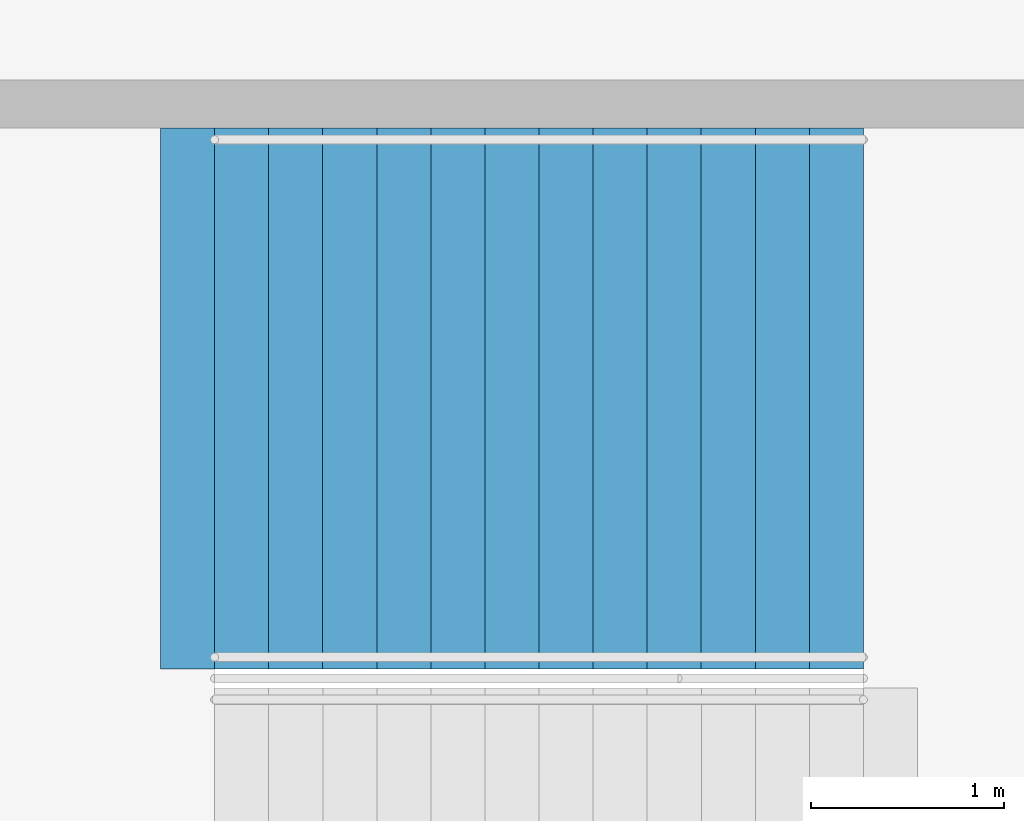
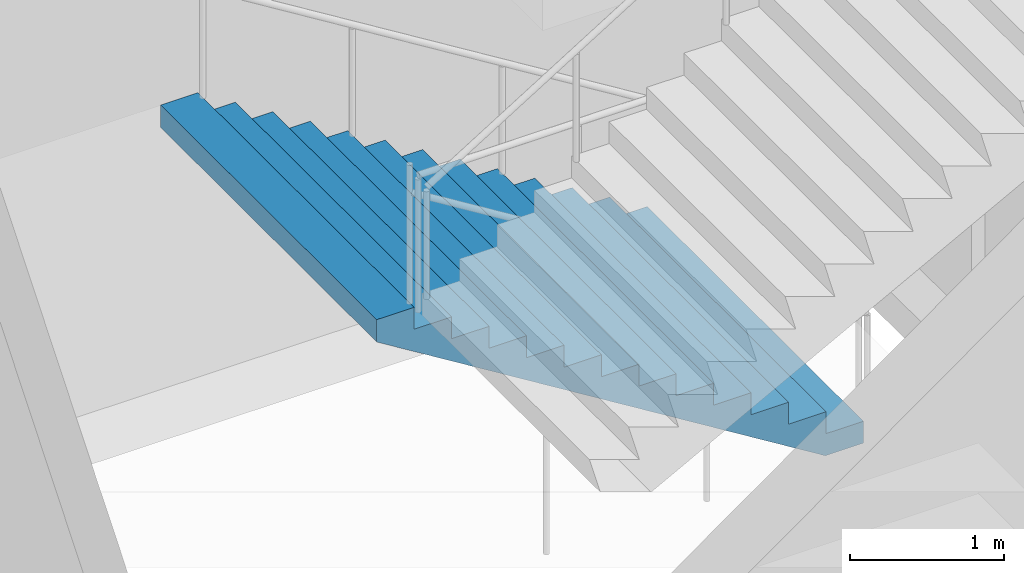
# One storey, part 111 of 177: 1 stair flight, 1 element without a shape of its own.
"""IFC4 building model written with IfcOpenShell, lengths in metres."""

from ifc_helpers import new_model, si_unit, direction, frame, origin, place, context, subcontext, project, spatial, faceted_brep, material, type_object, element, aggregate, save


model = new_model("IFC4")

# Units and contexts
model_context = context("Model", 3, precision=1e-05, world=origin(), true_north=direction((0.0, 1.0)))
body_context = subcontext(model_context, "Body", "Model", "MODEL_VIEW")
ifc_project = project(units=[si_unit("LENGTHUNIT", "METRE"), si_unit("AREAUNIT", "SQUARE_METRE"), si_unit("VOLUMEUNIT", "CUBIC_METRE"), si_unit("PLANEANGLEUNIT", "RADIAN"), si_unit("MASSUNIT", "GRAM", prefix="KILO")], contexts=[model_context])

# Site, building, storey
site_placement = place(None, origin())
site = spatial("IfcSite", under=ifc_project, at=site_placement, CompositionType="ELEMENT")
building_placement = place(site_placement, origin())
building = spatial("IfcBuilding", under=site, at=building_placement, Name="Ogive Plaza Stadium", CompositionType="ELEMENT")
storey_placement = place(building_placement, frame((0.0, 0.0, 18.0)))
storey = spatial("IfcBuildingStorey", under=building, at=storey_placement, Name="L04", CompositionType="ELEMENT", Elevation=18.0)

# Stair, stair flight
ifc_material_1 = material(Name="Concrete C40/50", Category="concrete")
stair_type = type_object("IfcStairType", Name="Exit stair", PredefinedType="STRAIGHT_RUN_STAIR", material=ifc_material_1)
stair_placement = place(storey_placement, origin())
stair = element("IfcStair", 1, at=stair_placement, inside=storey, type_object=stair_type, Name="Exit stair ST24A L04 to L05", PredefinedType="STRAIGHT_RUN_STAIR")
ifc_material_2 = material(Name="Concrete C40/50", Category="concrete")
stair_flight_type = type_object("IfcStairFlightType", Name="Exit stair flight", PredefinedType="STRAIGHT", material=ifc_material_2)
stair_flight_placement = place(storey_placement, frame((-76.35009765625, -3.074951171875, 0.0), z_axis=(0.0, 0.0, 1.0), x_axis=(-1.0, 0.0, 0.0)))
stair_flight = element("IfcStairFlight", 2, at=stair_flight_placement, type_object=stair_flight_type, Name="ST24A flight 1", NumberOfRisers=13, NumberOfTreads=12, PredefinedType="STRAIGHT", RiserHeight=0.173076923, TreadLength=0.28, context=body_context, shape_type="Brep", body=[
    faceted_brep([(0.28515625, -1.39990234375, 0.0), (3.639892578125, -1.39990234375, 2.07373046875), (3.639892578125, -1.39990234375, 2.25), (3.360107421875, -1.39990234375, 2.25), (3.360107421875, -1.39990234375, 2.076904296875), (3.080078125, -1.39990234375, 2.076904296875), (3.080078125, -1.39990234375, 1.90380859375), (2.800048828125, -1.39990234375, 1.90380859375), (2.800048828125, -1.39990234375, 1.730712890625), (2.52001953125, -1.39990234375, 1.730712890625), (2.52001953125, -1.39990234375, 1.5576171875), (2.239990234375, -1.39990234375, 1.5576171875), (2.239990234375, -1.39990234375, 1.384521484375), (1.9599609375, -1.39990234375, 1.384521484375), (1.9599609375, -1.39990234375, 1.21142578125), (1.679931640625, -1.39990234375, 1.21142578125), (1.679931640625, -1.39990234375, 1.03857421875), (1.39990234375, -1.39990234375, 1.03857421875), (1.39990234375, -1.39990234375, 0.865478515625), (1.1201171875, -1.39990234375, 0.865478515625), (1.1201171875, -1.39990234375, 0.6923828125), (0.840087890625, -1.39990234375, 0.6923828125), (0.840087890625, -1.39990234375, 0.519287109375), (0.56005859375, -1.39990234375, 0.519287109375), (0.56005859375, -1.39990234375, 0.34619140625), (0.280029296875, -1.39990234375, 0.34619140625), (0.280029296875, -1.39990234375, 0.173095703125), (0.0, -1.39990234375, 0.173095703125), (0.0, -1.39990234375, 0.0), (0.0, 1.39990234375, 0.0), (0.0, 1.39990234375, 0.173095703125), (0.280029296875, 1.39990234375, 0.173095703125), (0.280029296875, 1.39990234375, 0.34619140625), (0.56005859375, 1.39990234375, 0.34619140625), (0.56005859375, 1.39990234375, 0.519287109375), (0.840087890625, 1.39990234375, 0.519287109375), (0.840087890625, 1.39990234375, 0.6923828125), (1.1201171875, 1.39990234375, 0.6923828125), (1.1201171875, 1.39990234375, 0.865478515625), (1.39990234375, 1.39990234375, 0.865478515625), (1.39990234375, 1.39990234375, 1.03857421875), (1.679931640625, 1.39990234375, 1.03857421875), (1.679931640625, 1.39990234375, 1.21142578125), (1.9599609375, 1.39990234375, 1.21142578125), (1.9599609375, 1.39990234375, 1.384521484375), (2.239990234375, 1.39990234375, 1.384521484375), (2.239990234375, 1.39990234375, 1.5576171875), (2.52001953125, 1.39990234375, 1.5576171875), (2.52001953125, 1.39990234375, 1.730712890625), (2.800048828125, 1.39990234375, 1.730712890625), (2.800048828125, 1.39990234375, 1.90380859375), (3.080078125, 1.39990234375, 1.90380859375), (3.080078125, 1.39990234375, 2.076904296875), (3.360107421875, 1.39990234375, 2.076904296875), (3.360107421875, 1.39990234375, 2.25), (3.639892578125, 1.39990234375, 2.25), (3.639892578125, 1.39990234375, 2.07373046875), (0.28515625, 1.39990234375, 0.0), (0.28515625, -1.0888671875, 0.0), (3.639892578125, -1.0888671875, 2.07373046875), (0.28515625, -0.77783203125, 0.0), (3.639892578125, -0.77783203125, 2.07373046875), (0.28515625, -0.466796875, 0.0), (3.639892578125, -0.466796875, 2.07373046875), (0.28515625, -0.155517578125, 0.0), (3.639892578125, -0.155517578125, 2.07373046875), (0.28515625, 0.155517578125, 0.0), (3.639892578125, 0.155517578125, 2.07373046875), (0.28515625, 0.466796875, 0.0), (3.639892578125, 0.466796875, 2.07373046875), (0.28515625, 0.77783203125, 0.0), (3.639892578125, 0.77783203125, 2.07373046875), (0.28515625, 1.0888671875, 0.0), (3.639892578125, 1.0888671875, 2.07373046875), (3.639892578125, -1.0888671875, 2.25), (3.639892578125, -0.77783203125, 2.25), (3.639892578125, -0.466796875, 2.25), (3.639892578125, -0.155517578125, 2.25), (3.639892578125, 0.155517578125, 2.25), (3.639892578125, 0.466796875, 2.25), (3.639892578125, 0.77783203125, 2.25), (3.639892578125, 1.0888671875, 2.25), (3.360107421875, -1.0888671875, 2.25), (3.360107421875, -0.77783203125, 2.25), (3.360107421875, -0.466796875, 2.25), (3.360107421875, -0.155517578125, 2.25), (3.360107421875, 0.155517578125, 2.25), (3.360107421875, 0.466796875, 2.25), (3.360107421875, 0.77783203125, 2.25), (3.360107421875, 1.0888671875, 2.25), (3.360107421875, -1.0888671875, 2.076904296875), (3.360107421875, -0.77783203125, 2.076904296875), (3.360107421875, -0.466796875, 2.076904296875), (3.360107421875, -0.155517578125, 2.076904296875), (3.360107421875, 0.155517578125, 2.076904296875), (3.360107421875, 0.466796875, 2.076904296875), (3.360107421875, 0.77783203125, 2.076904296875), (3.360107421875, 1.0888671875, 2.076904296875), (3.080078125, -1.0888671875, 2.076904296875), (3.080078125, -0.77783203125, 2.076904296875), (3.080078125, -0.466796875, 2.076904296875), (3.080078125, -0.155517578125, 2.076904296875), (3.080078125, 0.155517578125, 2.076904296875), (3.080078125, 0.466796875, 2.076904296875), (3.080078125, 0.77783203125, 2.076904296875), (3.080078125, 1.0888671875, 2.076904296875), (3.080078125, -1.0888671875, 1.90380859375), (3.080078125, -0.77783203125, 1.90380859375), (3.080078125, -0.466796875, 1.90380859375), (3.080078125, -0.155517578125, 1.90380859375), (3.080078125, 0.155517578125, 1.90380859375), (3.080078125, 0.466796875, 1.90380859375), (3.080078125, 0.77783203125, 1.90380859375), (3.080078125, 1.0888671875, 1.90380859375), (2.800048828125, -1.0888671875, 1.90380859375), (2.800048828125, -0.77783203125, 1.90380859375), (2.800048828125, -0.466796875, 1.90380859375), (2.800048828125, -0.155517578125, 1.90380859375), (2.800048828125, 0.155517578125, 1.90380859375), (2.800048828125, 0.466796875, 1.90380859375), (2.800048828125, 0.77783203125, 1.90380859375), (2.800048828125, 1.0888671875, 1.90380859375), (2.800048828125, -1.0888671875, 1.730712890625), (2.800048828125, -0.77783203125, 1.730712890625), (2.800048828125, -0.466796875, 1.730712890625), (2.800048828125, -0.155517578125, 1.730712890625), (2.800048828125, 0.155517578125, 1.730712890625), (2.800048828125, 0.466796875, 1.730712890625), (2.800048828125, 0.77783203125, 1.730712890625), (2.800048828125, 1.0888671875, 1.730712890625), (2.52001953125, -1.0888671875, 1.730712890625), (2.52001953125, -0.77783203125, 1.730712890625), (2.52001953125, -0.466796875, 1.730712890625), (2.52001953125, -0.155517578125, 1.730712890625), (2.52001953125, 0.155517578125, 1.730712890625), (2.52001953125, 0.466796875, 1.730712890625), (2.52001953125, 0.77783203125, 1.730712890625), (2.52001953125, 1.0888671875, 1.730712890625), (2.52001953125, -1.0888671875, 1.5576171875), (2.52001953125, -0.77783203125, 1.5576171875), (2.52001953125, -0.466796875, 1.5576171875), (2.52001953125, -0.155517578125, 1.5576171875), (2.52001953125, 0.155517578125, 1.5576171875), (2.52001953125, 0.466796875, 1.5576171875), (2.52001953125, 0.77783203125, 1.5576171875), (2.52001953125, 1.0888671875, 1.5576171875), (2.239990234375, -1.0888671875, 1.5576171875), (2.239990234375, -0.77783203125, 1.5576171875), (2.239990234375, -0.466796875, 1.5576171875), (2.239990234375, -0.155517578125, 1.5576171875), (2.239990234375, 0.155517578125, 1.5576171875), (2.239990234375, 0.466796875, 1.5576171875), (2.239990234375, 0.77783203125, 1.5576171875), (2.239990234375, 1.0888671875, 1.5576171875), (2.239990234375, -1.0888671875, 1.384521484375), (2.239990234375, -0.77783203125, 1.384521484375), (2.239990234375, -0.466796875, 1.384521484375), (2.239990234375, -0.155517578125, 1.384521484375), (2.239990234375, 0.155517578125, 1.384521484375), (2.239990234375, 0.466796875, 1.384521484375), (2.239990234375, 0.77783203125, 1.384521484375), (2.239990234375, 1.0888671875, 1.384521484375), (1.9599609375, -1.0888671875, 1.384521484375), (1.9599609375, -0.77783203125, 1.384521484375), (1.9599609375, -0.466796875, 1.384521484375), (1.9599609375, -0.155517578125, 1.384521484375), (1.9599609375, 0.155517578125, 1.384521484375), (1.9599609375, 0.466796875, 1.384521484375), (1.9599609375, 0.77783203125, 1.384521484375), (1.9599609375, 1.0888671875, 1.384521484375), (1.9599609375, -1.0888671875, 1.21142578125), (1.9599609375, -0.77783203125, 1.21142578125), (1.9599609375, -0.466796875, 1.21142578125), (1.9599609375, -0.155517578125, 1.21142578125), (1.9599609375, 0.155517578125, 1.21142578125), (1.9599609375, 0.466796875, 1.21142578125), (1.9599609375, 0.77783203125, 1.21142578125), (1.9599609375, 1.0888671875, 1.21142578125), (1.679931640625, -1.0888671875, 1.21142578125), (1.679931640625, -0.77783203125, 1.21142578125), (1.679931640625, -0.466796875, 1.21142578125), (1.679931640625, -0.155517578125, 1.21142578125), (1.679931640625, 0.155517578125, 1.21142578125), (1.679931640625, 0.466796875, 1.21142578125), (1.679931640625, 0.77783203125, 1.21142578125), (1.679931640625, 1.0888671875, 1.21142578125), (1.679931640625, -1.0888671875, 1.03857421875), (1.679931640625, -0.77783203125, 1.03857421875), (1.679931640625, -0.466796875, 1.03857421875), (1.679931640625, -0.155517578125, 1.03857421875), (1.679931640625, 0.155517578125, 1.03857421875), (1.679931640625, 0.466796875, 1.03857421875), (1.679931640625, 0.77783203125, 1.03857421875), (1.679931640625, 1.0888671875, 1.03857421875), (1.39990234375, -1.0888671875, 1.03857421875), (1.39990234375, -0.77783203125, 1.03857421875), (1.39990234375, -0.466796875, 1.03857421875), (1.39990234375, -0.155517578125, 1.03857421875), (1.39990234375, 0.155517578125, 1.03857421875), (1.39990234375, 0.466796875, 1.03857421875), (1.39990234375, 0.77783203125, 1.03857421875), (1.39990234375, 1.0888671875, 1.03857421875), (1.39990234375, -1.0888671875, 0.865478515625), (1.39990234375, -0.77783203125, 0.865478515625), (1.39990234375, -0.466796875, 0.865478515625), (1.39990234375, -0.155517578125, 0.865478515625), (1.39990234375, 0.155517578125, 0.865478515625), (1.39990234375, 0.466796875, 0.865478515625), (1.39990234375, 0.77783203125, 0.865478515625), (1.39990234375, 1.0888671875, 0.865478515625), (1.1201171875, -1.0888671875, 0.865478515625), (1.1201171875, -0.77783203125, 0.865478515625), (1.1201171875, -0.466796875, 0.865478515625), (1.1201171875, -0.155517578125, 0.865478515625), (1.1201171875, 0.155517578125, 0.865478515625), (1.1201171875, 0.466796875, 0.865478515625), (1.1201171875, 0.77783203125, 0.865478515625), (1.1201171875, 1.0888671875, 0.865478515625), (1.1201171875, -1.0888671875, 0.6923828125), (1.1201171875, -0.77783203125, 0.6923828125), (1.1201171875, -0.466796875, 0.6923828125), (1.1201171875, -0.155517578125, 0.6923828125), (1.1201171875, 0.155517578125, 0.6923828125), (1.1201171875, 0.466796875, 0.6923828125), (1.1201171875, 0.77783203125, 0.6923828125), (1.1201171875, 1.0888671875, 0.6923828125), (0.840087890625, -1.0888671875, 0.6923828125), (0.840087890625, -0.77783203125, 0.6923828125), (0.840087890625, -0.466796875, 0.6923828125), (0.840087890625, -0.155517578125, 0.6923828125), (0.840087890625, 0.155517578125, 0.6923828125), (0.840087890625, 0.466796875, 0.6923828125), (0.840087890625, 0.77783203125, 0.6923828125), (0.840087890625, 1.0888671875, 0.6923828125), (0.840087890625, -1.0888671875, 0.519287109375), (0.840087890625, -0.77783203125, 0.519287109375), (0.840087890625, -0.466796875, 0.519287109375), (0.840087890625, -0.155517578125, 0.519287109375), (0.840087890625, 0.155517578125, 0.519287109375), (0.840087890625, 0.466796875, 0.519287109375), (0.840087890625, 0.77783203125, 0.519287109375), (0.840087890625, 1.0888671875, 0.519287109375), (0.56005859375, -1.0888671875, 0.519287109375), (0.56005859375, -0.77783203125, 0.519287109375), (0.56005859375, -0.466796875, 0.519287109375), (0.56005859375, -0.155517578125, 0.519287109375), (0.56005859375, 0.155517578125, 0.519287109375), (0.56005859375, 0.466796875, 0.519287109375), (0.56005859375, 0.77783203125, 0.519287109375), (0.56005859375, 1.0888671875, 0.519287109375), (0.56005859375, -1.0888671875, 0.34619140625), (0.56005859375, -0.77783203125, 0.34619140625), (0.56005859375, -0.466796875, 0.34619140625), (0.56005859375, -0.155517578125, 0.34619140625), (0.56005859375, 0.155517578125, 0.34619140625), (0.56005859375, 0.466796875, 0.34619140625), (0.56005859375, 0.77783203125, 0.34619140625), (0.56005859375, 1.0888671875, 0.34619140625), (0.280029296875, -1.0888671875, 0.34619140625), (0.280029296875, -0.77783203125, 0.34619140625), (0.280029296875, -0.466796875, 0.34619140625), (0.280029296875, -0.155517578125, 0.34619140625), (0.280029296875, 0.155517578125, 0.34619140625), (0.280029296875, 0.466796875, 0.34619140625), (0.280029296875, 0.77783203125, 0.34619140625), (0.280029296875, 1.0888671875, 0.34619140625), (0.280029296875, -1.0888671875, 0.173095703125), (0.280029296875, -0.77783203125, 0.173095703125), (0.280029296875, -0.466796875, 0.173095703125), (0.280029296875, -0.155517578125, 0.173095703125), (0.280029296875, 0.155517578125, 0.173095703125), (0.280029296875, 0.466796875, 0.173095703125), (0.280029296875, 0.77783203125, 0.173095703125), (0.280029296875, 1.0888671875, 0.173095703125), (0.0, -1.0888671875, 0.173095703125), (0.0, -0.77783203125, 0.173095703125), (0.0, -0.466796875, 0.173095703125), (0.0, -0.155517578125, 0.173095703125), (0.0, 0.155517578125, 0.173095703125), (0.0, 0.466796875, 0.173095703125), (0.0, 0.77783203125, 0.173095703125), (0.0, 1.0888671875, 0.173095703125), (0.0, -1.0888671875, 0.0), (0.0, -0.77783203125, 0.0), (0.0, -0.466796875, 0.0), (0.0, -0.155517578125, 0.0), (0.0, 0.155517578125, 0.0), (0.0, 0.466796875, 0.0), (0.0, 0.77783203125, 0.0), (0.0, 1.0888671875, 0.0)], [[[0, 1, 2, 3, 4, 5, 6, 7, 8, 9, 10, 11, 12, 13, 14, 15, 16, 17, 18, 19, 20, 21, 22, 23, 24, 25, 26, 27, 28]], [[29, 30, 31, 32, 33, 34, 35, 36, 37, 38, 39, 40, 41, 42, 43, 44, 45, 46, 47, 48, 49, 50, 51, 52, 53, 54, 55, 56, 57]], [[0, 58, 59, 1]], [[58, 60, 61, 59]], [[60, 62, 63, 61]], [[62, 64, 65, 63]], [[64, 66, 67, 65]], [[66, 68, 69, 67]], [[68, 70, 71, 69]], [[70, 72, 73, 71]], [[72, 57, 56, 73]], [[1, 59, 74, 2]], [[59, 61, 75, 74]], [[61, 63, 76, 75]], [[63, 65, 77, 76]], [[65, 67, 78, 77]], [[67, 69, 79, 78]], [[69, 71, 80, 79]], [[71, 73, 81, 80]], [[73, 56, 55, 81]], [[2, 74, 82, 3]], [[74, 75, 83, 82]], [[75, 76, 84, 83]], [[76, 77, 85, 84]], [[77, 78, 86, 85]], [[78, 79, 87, 86]], [[79, 80, 88, 87]], [[80, 81, 89, 88]], [[81, 55, 54, 89]], [[3, 82, 90, 4]], [[82, 83, 91, 90]], [[83, 84, 92, 91]], [[84, 85, 93, 92]], [[85, 86, 94, 93]], [[86, 87, 95, 94]], [[87, 88, 96, 95]], [[88, 89, 97, 96]], [[89, 54, 53, 97]], [[4, 90, 98, 5]], [[90, 91, 99, 98]], [[91, 92, 100, 99]], [[92, 93, 101, 100]], [[93, 94, 102, 101]], [[94, 95, 103, 102]], [[95, 96, 104, 103]], [[96, 97, 105, 104]], [[97, 53, 52, 105]], [[5, 98, 106, 6]], [[98, 99, 107, 106]], [[99, 100, 108, 107]], [[100, 101, 109, 108]], [[101, 102, 110, 109]], [[102, 103, 111, 110]], [[103, 104, 112, 111]], [[104, 105, 113, 112]], [[105, 52, 51, 113]], [[6, 106, 114, 7]], [[106, 107, 115, 114]], [[107, 108, 116, 115]], [[108, 109, 117, 116]], [[109, 110, 118, 117]], [[110, 111, 119, 118]], [[111, 112, 120, 119]], [[112, 113, 121, 120]], [[113, 51, 50, 121]], [[7, 114, 122, 8]], [[114, 115, 123, 122]], [[115, 116, 124, 123]], [[116, 117, 125, 124]], [[117, 118, 126, 125]], [[118, 119, 127, 126]], [[119, 120, 128, 127]], [[120, 121, 129, 128]], [[121, 50, 49, 129]], [[8, 122, 130, 9]], [[122, 123, 131, 130]], [[123, 124, 132, 131]], [[124, 125, 133, 132]], [[125, 126, 134, 133]], [[126, 127, 135, 134]], [[127, 128, 136, 135]], [[128, 129, 137, 136]], [[129, 49, 48, 137]], [[9, 130, 138, 10]], [[130, 131, 139, 138]], [[131, 132, 140, 139]], [[132, 133, 141, 140]], [[133, 134, 142, 141]], [[134, 135, 143, 142]], [[135, 136, 144, 143]], [[136, 137, 145, 144]], [[137, 48, 47, 145]], [[10, 138, 146, 11]], [[138, 139, 147, 146]], [[139, 140, 148, 147]], [[140, 141, 149, 148]], [[141, 142, 150, 149]], [[142, 143, 151, 150]], [[143, 144, 152, 151]], [[144, 145, 153, 152]], [[145, 47, 46, 153]], [[11, 146, 154, 12]], [[146, 147, 155, 154]], [[147, 148, 156, 155]], [[148, 149, 157, 156]], [[149, 150, 158, 157]], [[150, 151, 159, 158]], [[151, 152, 160, 159]], [[152, 153, 161, 160]], [[153, 46, 45, 161]], [[12, 154, 162, 13]], [[154, 155, 163, 162]], [[155, 156, 164, 163]], [[156, 157, 165, 164]], [[157, 158, 166, 165]], [[158, 159, 167, 166]], [[159, 160, 168, 167]], [[160, 161, 169, 168]], [[161, 45, 44, 169]], [[13, 162, 170, 14]], [[162, 163, 171, 170]], [[163, 164, 172, 171]], [[164, 165, 173, 172]], [[165, 166, 174, 173]], [[166, 167, 175, 174]], [[167, 168, 176, 175]], [[168, 169, 177, 176]], [[169, 44, 43, 177]], [[14, 170, 178, 15]], [[170, 171, 179, 178]], [[171, 172, 180, 179]], [[172, 173, 181, 180]], [[173, 174, 182, 181]], [[174, 175, 183, 182]], [[175, 176, 184, 183]], [[176, 177, 185, 184]], [[177, 43, 42, 185]], [[15, 178, 186, 16]], [[178, 179, 187, 186]], [[179, 180, 188, 187]], [[180, 181, 189, 188]], [[181, 182, 190, 189]], [[182, 183, 191, 190]], [[183, 184, 192, 191]], [[184, 185, 193, 192]], [[185, 42, 41, 193]], [[16, 186, 194, 17]], [[186, 187, 195, 194]], [[187, 188, 196, 195]], [[188, 189, 197, 196]], [[189, 190, 198, 197]], [[190, 191, 199, 198]], [[191, 192, 200, 199]], [[192, 193, 201, 200]], [[193, 41, 40, 201]], [[17, 194, 202, 18]], [[194, 195, 203, 202]], [[195, 196, 204, 203]], [[196, 197, 205, 204]], [[197, 198, 206, 205]], [[198, 199, 207, 206]], [[199, 200, 208, 207]], [[200, 201, 209, 208]], [[201, 40, 39, 209]], [[18, 202, 210, 19]], [[202, 203, 211, 210]], [[203, 204, 212, 211]], [[204, 205, 213, 212]], [[205, 206, 214, 213]], [[206, 207, 215, 214]], [[207, 208, 216, 215]], [[208, 209, 217, 216]], [[209, 39, 38, 217]], [[19, 210, 218, 20]], [[210, 211, 219, 218]], [[211, 212, 220, 219]], [[212, 213, 221, 220]], [[213, 214, 222, 221]], [[214, 215, 223, 222]], [[215, 216, 224, 223]], [[216, 217, 225, 224]], [[217, 38, 37, 225]], [[20, 218, 226, 21]], [[218, 219, 227, 226]], [[219, 220, 228, 227]], [[220, 221, 229, 228]], [[221, 222, 230, 229]], [[222, 223, 231, 230]], [[223, 224, 232, 231]], [[224, 225, 233, 232]], [[225, 37, 36, 233]], [[21, 226, 234, 22]], [[226, 227, 235, 234]], [[227, 228, 236, 235]], [[228, 229, 237, 236]], [[229, 230, 238, 237]], [[230, 231, 239, 238]], [[231, 232, 240, 239]], [[232, 233, 241, 240]], [[233, 36, 35, 241]], [[22, 234, 242, 23]], [[234, 235, 243, 242]], [[235, 236, 244, 243]], [[236, 237, 245, 244]], [[237, 238, 246, 245]], [[238, 239, 247, 246]], [[239, 240, 248, 247]], [[240, 241, 249, 248]], [[241, 35, 34, 249]], [[23, 242, 250, 24]], [[242, 243, 251, 250]], [[243, 244, 252, 251]], [[244, 245, 253, 252]], [[245, 246, 254, 253]], [[246, 247, 255, 254]], [[247, 248, 256, 255]], [[248, 249, 257, 256]], [[249, 34, 33, 257]], [[24, 250, 258, 25]], [[250, 251, 259, 258]], [[251, 252, 260, 259]], [[252, 253, 261, 260]], [[253, 254, 262, 261]], [[254, 255, 263, 262]], [[255, 256, 264, 263]], [[256, 257, 265, 264]], [[257, 33, 32, 265]], [[25, 258, 266, 26]], [[258, 259, 267, 266]], [[259, 260, 268, 267]], [[260, 261, 269, 268]], [[261, 262, 270, 269]], [[262, 263, 271, 270]], [[263, 264, 272, 271]], [[264, 265, 273, 272]], [[265, 32, 31, 273]], [[26, 266, 274, 27]], [[266, 267, 275, 274]], [[267, 268, 276, 275]], [[268, 269, 277, 276]], [[269, 270, 278, 277]], [[270, 271, 279, 278]], [[271, 272, 280, 279]], [[272, 273, 281, 280]], [[273, 31, 30, 281]], [[27, 274, 282, 28]], [[274, 275, 283, 282]], [[275, 276, 284, 283]], [[276, 277, 285, 284]], [[277, 278, 286, 285]], [[278, 279, 287, 286]], [[279, 280, 288, 287]], [[280, 281, 289, 288]], [[281, 30, 29, 289]], [[28, 282, 58, 0]], [[282, 283, 60, 58]], [[283, 284, 62, 60]], [[284, 285, 64, 62]], [[285, 286, 66, 64]], [[286, 287, 68, 66]], [[287, 288, 70, 68]], [[288, 289, 72, 70]], [[289, 29, 57, 72]]]),
])
aggregate(stair, [stair_flight])

save(model, "model.ifc")
